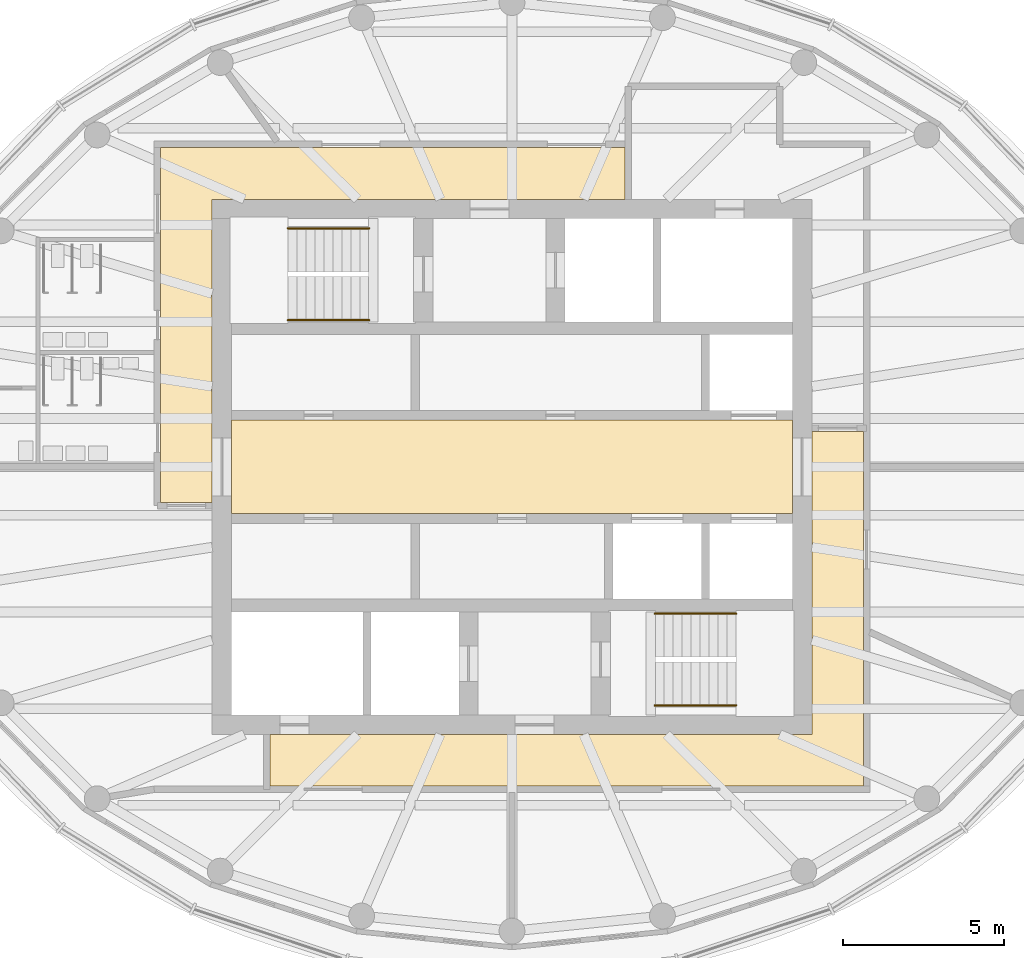
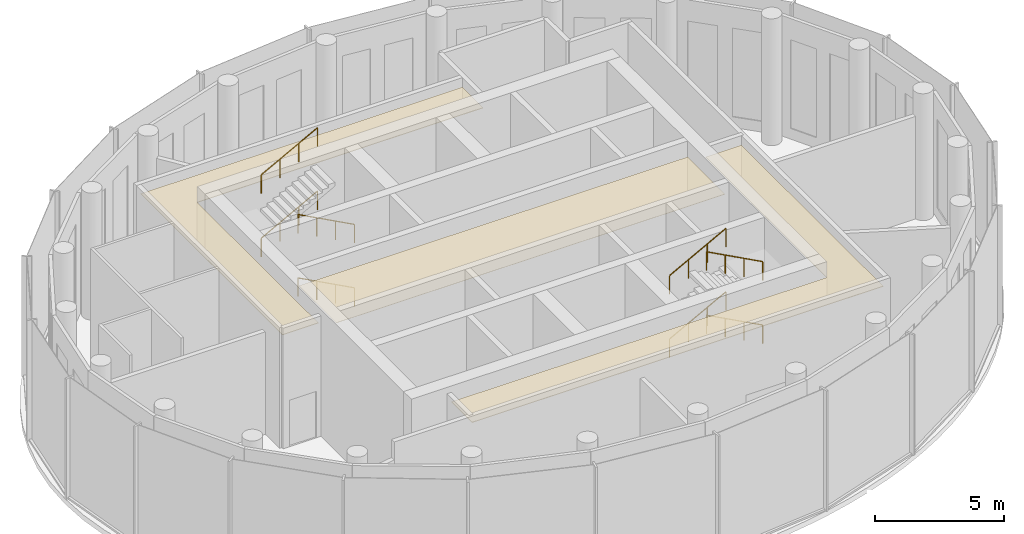
# One storey, part 9 of 11: 8 railings, 3 coverings.
"""IFC4 building model written with IfcOpenShell, lengths in metres."""

import ifcopenshell
import ifcopenshell.guid

model = None  # the IFC model being written
_history = None  # IfcOwnerHistory: only IFC2X3 demands one
_inside = {}  # id of a spatial element -> (the spatial element, [elements in it])
_under = {}  # id of a project, library or spatial element -> (it, [spatial elements below it])
_declared = {}  # id of a project -> (the project, [libraries it declares])
_typed = {}  # id of a type object -> (the type object, [elements of that type])
_made_of = {}  # id of a material, layer set ... -> (it, [elements and type objects made of it])


def new_model(schema):
    """Start an empty IFC model of exactly this schema.

    Asked for "IFC4X3", IfcOpenShell would pick the latest addendum, in which some entities
    have other attributes; the version numbers below select the first issue.
    IFC2X3 requires an IfcOwnerHistory on every rooted entity: one is made here for all.
    """
    global model, _history
    if schema == "IFC4X3":
        model = ifcopenshell.file(schema_version=(4, 3, 0, 0))
    else:
        model = ifcopenshell.file(schema=schema)
    _inside.clear()
    _under.clear()
    _declared.clear()
    _typed.clear()
    _made_of.clear()
    _history = None
    if model.schema == "IFC2X3":
        org = make("IfcOrganization", Name="unknown")
        user = make(
            "IfcPersonAndOrganization",
            ThePerson=make("IfcPerson", FamilyName="unknown"),
            TheOrganization=org,
        )
        app = make(
            "IfcApplication",
            ApplicationDeveloper=org,
            Version="unknown",
            ApplicationFullName="unknown",
            ApplicationIdentifier="unknown",
        )
        _history = make(
            "IfcOwnerHistory",
            OwningUser=user,
            OwningApplication=app,
            ChangeAction="ADDED",
            CreationDate=0,
        )
    return model


def make(cls, **values):
    """One entity of the class cls with the attributes given. An attribute that is None is left unset."""
    return model.create_entity(
        cls, **{name: value for name, value in values.items() if value is not None}
    )


def rooted(cls, **values):
    """An entity with a GlobalId (a new one), such as an element, a storey or a relation."""
    return make(cls, GlobalId=ifcopenshell.guid.new(), OwnerHistory=_history, **values)


def si_unit(unit_type, name, prefix=None):
    """IfcSIUnit, for example si_unit("LENGTHUNIT", "METRE", prefix="MILLI")."""
    return make("IfcSIUnit", UnitType=unit_type, Prefix=prefix, Name=name)


def assignment(units):
    """IfcUnitAssignment: the units of a project."""
    return None if units is None else make("IfcUnitAssignment", Units=units)


def point(xyz):
    """IfcCartesianPoint."""
    return None if xyz is None else make("IfcCartesianPoint", Coordinates=xyz)


def direction(xyz):
    """IfcDirection."""
    return None if xyz is None else make("IfcDirection", DirectionRatios=xyz)


def frame(location, z_axis=None, x_axis=None):
    """IfcAxis2Placement3D, a coordinate frame: its origin and axes. An axis left out is left unset."""
    return make(
        "IfcAxis2Placement3D",
        Location=point(location),
        Axis=direction(z_axis),
        RefDirection=direction(x_axis),
    )


def frame_2d(location, x_axis=None):
    """IfcAxis2Placement2D, a coordinate frame in the plane: its origin and x axis."""
    return make(
        "IfcAxis2Placement2D", Location=point(location), RefDirection=direction(x_axis)
    )


def origin():
    """The frame at (0, 0, 0) with its axes left unset."""
    return frame((0.0, 0.0, 0.0))


def origin_2d():
    """The frame at (0, 0) in the plane with its x axis left unset."""
    return frame_2d((0.0, 0.0))


def place(relative_to, where):
    """IfcLocalPlacement: puts the frame where relative to a parent placement (None: the world)."""
    return make(
        "IfcLocalPlacement", PlacementRelTo=relative_to, RelativePlacement=where
    )


def context(
    kind, dimensions, precision=None, world=None, true_north=None, identifier=None
):
    """IfcGeometricRepresentationContext, for example the 3D "Model" context."""
    return make(
        "IfcGeometricRepresentationContext",
        ContextIdentifier=identifier,
        ContextType=kind,
        CoordinateSpaceDimension=dimensions,
        Precision=precision,
        WorldCoordinateSystem=world,
        TrueNorth=true_north,
    )


def subcontext(parent, identifier, kind, view, scale=None):
    """IfcGeometricRepresentationSubContext, for example "Body" below "Model"."""
    return make(
        "IfcGeometricRepresentationSubContext",
        ContextIdentifier=identifier,
        ContextType=kind,
        ParentContext=parent,
        TargetScale=scale,
        TargetView=view,
    )


def project(units=None, contexts=None):
    """IfcProject with its units and contexts."""
    return rooted(
        "IfcProject",
        Name="project",
        RepresentationContexts=contexts,
        UnitsInContext=assignment(units),
    )


def spatial(cls, under=None, at=None, **own):
    """A site, building, storey or space (cls), placed at a placement, below another one or the project."""
    s = rooted(cls, ObjectPlacement=at, **own)
    if under is not None:
        _under.setdefault(under.id(), (under, []))[1].append(s)
    return s


def polyline(points):
    """IfcPolyline through the points."""
    return make("IfcPolyline", Points=[point(p) for p in points])


def profile(cls, at=None, kind="AREA", **sizes):
    """A parametric profile (cls). Its sizes go by their IFC names, for example OverallWidth=200.0."""
    return make(cls, ProfileType=kind, Position=at, **sizes)


def circle(**sizes):
    """IfcCircleProfileDef."""
    return profile("IfcCircleProfileDef", **sizes)


def outline(outer, holes=None, kind="AREA"):
    """IfcArbitraryClosedProfileDef: a profile drawn as a closed curve; with holes, ...WithVoids."""
    if holes is None:
        return make("IfcArbitraryClosedProfileDef", ProfileType=kind, OuterCurve=outer)
    return make(
        "IfcArbitraryProfileDefWithVoids",
        ProfileType=kind,
        OuterCurve=outer,
        InnerCurves=holes,
    )


def extrude(swept, where, along, depth):
    """IfcExtrudedAreaSolid: the profile swept, set in the frame where, extruded along a direction by depth."""
    return make(
        "IfcExtrudedAreaSolid",
        SweptArea=swept,
        Position=where,
        ExtrudedDirection=direction(along),
        Depth=depth,
    )


def shape(context_of_items, identifier, shape_type, items):
    """IfcShapeRepresentation: the items that make up one representation, for example the "Body"."""
    return make(
        "IfcShapeRepresentation",
        ContextOfItems=context_of_items,
        RepresentationIdentifier=identifier,
        RepresentationType=shape_type,
        Items=items,
    )


def material(Name=None, Category=None):
    """IfcMaterial."""
    return make("IfcMaterial", Name=Name, Category=Category)


def layer(
    of_material, thickness, ventilated=None, Name=None, Category=None, Priority=None
):
    """IfcMaterialLayer: one layer of a wall or slab, of a material (None: an air gap)."""
    return make(
        "IfcMaterialLayer",
        Material=of_material,
        LayerThickness=thickness,
        IsVentilated=ventilated,
        Name=Name,
        Category=Category,
        Priority=Priority,
    )


def layer_set(layers, Name=None):
    """IfcMaterialLayerSet."""
    return make("IfcMaterialLayerSet", MaterialLayers=layers, LayerSetName=Name)


def made_of(thing, what):
    """Note that an element or type object is made of a material, layer set ...; save() writes the relation."""
    if what is not None:
        _made_of.setdefault(what.id(), (what, []))[1].append(thing)
    return thing


def type_object(cls, material=None, **own):
    """A type object (cls), such as IfcWallType, which elements share."""
    return made_of(rooted(cls, **own), material)


def element(
    cls,
    number,
    at=None,
    inside=None,
    cuts=None,
    type_object=None,
    material=None,
    context=None,
    identifier="Body",
    shape_type=None,
    held_by="IfcProductDefinitionShape",
    body=None,
    shapes=None,
    **own,
):
    """One element of the class cls, such as IfcWall. Its Tag is "e" and its number.

    at: its placement. inside: the storey or other place that contains it. cuts: it is an
    opening in that element (IfcRelVoidsElement). A single representation is given by context,
    identifier, shape_type and body (its items); several are given by shapes. held_by: the class
    of the entity that holds the representations. save() writes the other relations.
    """
    e = rooted(cls, Tag="e%d" % number, ObjectPlacement=at, **own)
    if body is not None:
        shapes = [shape(context, identifier, shape_type, body)]
    if shapes is not None:
        e.Representation = make(held_by, Representations=shapes)
    if inside is not None:
        _inside.setdefault(inside.id(), (inside, []))[1].append(e)
    if cuts is not None:
        rooted(
            "IfcRelVoidsElement", RelatingBuildingElement=cuts, RelatedOpeningElement=e
        )
    if type_object is not None:
        _typed.setdefault(type_object.id(), (type_object, []))[1].append(e)
    return made_of(e, material)


def aggregate(whole, parts):
    """IfcRelAggregates: a whole, such as a stair, and the parts it consists of."""
    return rooted("IfcRelAggregates", RelatingObject=whole, RelatedObjects=parts)


def save(model, path):
    """Write the relations noted so far, then the file.

    IfcRelAggregates (storeys below a building ...), IfcRelContainedInSpatialStructure (elements
    in a storey), IfcRelDefinesByType, IfcRelAssociatesMaterial and IfcRelDeclares: one each for
    every whole, place, type object, material and project.
    """
    for whole, parts in _under.values():
        aggregate(whole, parts)
    for where, things in _inside.values():
        rooted(
            "IfcRelContainedInSpatialStructure",
            RelatedElements=things,
            RelatingStructure=where,
        )
    for kind, things in _typed.values():
        rooted("IfcRelDefinesByType", RelatedObjects=things, RelatingType=kind)
    for what, things in _made_of.values():
        rooted("IfcRelAssociatesMaterial", RelatedObjects=things, RelatingMaterial=what)
    for by, libraries in _declared.values():
        rooted("IfcRelDeclares", RelatingContext=by, RelatedDefinitions=libraries)
    model.write(path)


model = new_model("IFC4")

# Units and contexts
model_context = context("Model", 3, precision=1e-05, world=origin(), true_north=direction((0.0, 1.0)))
body_context = subcontext(model_context, "Body", "Model", "MODEL_VIEW")
ifc_project = project(units=[si_unit("LENGTHUNIT", "METRE"), si_unit("AREAUNIT", "SQUARE_METRE"), si_unit("VOLUMEUNIT", "CUBIC_METRE"), si_unit("PLANEANGLEUNIT", "RADIAN"), si_unit("MASSUNIT", "GRAM", prefix="KILO")], contexts=[model_context])

# Site, building, storey
site_placement = place(None, origin())
site = spatial("IfcSite", under=ifc_project, at=site_placement, CompositionType="ELEMENT")
building_placement = place(site_placement, origin())
building = spatial("IfcBuilding", under=site, at=building_placement, Name="Hankou Lantern Tower", CompositionType="ELEMENT")
storey_placement = place(building_placement, frame((0.0, 0.0, 242.699951171875)))
storey = spatial("IfcBuildingStorey", under=building, at=storey_placement, Name="L65", CompositionType="ELEMENT", Elevation=242.699951171875)

# Coverings
ifc_material_1 = material(Name="Black painted aluminium linear ceiling panels", Category="aluminium")
ifc_layer_1 = layer(ifc_material_1, 0.02490234375)
ifc_layer_set_1 = layer_set([ifc_layer_1], Name="Black painted aluminium linear ceiling panels")
covering_type_1 = type_object("IfcCoveringType", Name="CL1 CORRIDOR CEILING 25", PredefinedType="CEILING", material=ifc_layer_set_1)
covering_1_placement = place(storey_placement, frame((0.0, 0.0, 5.22509765625)))
element("IfcCovering", 1, at=covering_1_placement, inside=storey, type_object=covering_type_1, Name="Corridor ceiling L65", PredefinedType="CEILING", context=body_context, shape_type="SweptSolid", body=[
    extrude(outline(polyline([(-9.300048828125, 8.300048828125), (3.5, 8.300048828125), (3.5, 9.89990234375), (-10.89990234375, 9.89990234375), (-10.89990234375, -1.10009765625), (-9.300048828125, -1.10009765625), (-9.300048828125, 8.300048828125)])), origin(), (0.0, 0.0, 1.0), 0.02490234375),
])
covering_2_placement = place(storey_placement, frame((0.0, 0.0, 5.22509765625)))
element("IfcCovering", 2, at=covering_2_placement, inside=storey, type_object=covering_type_1, Name="Corridor ceiling L65", PredefinedType="CEILING", context=body_context, shape_type="SweptSolid", body=[
    extrude(outline(polyline([(10.89990234375, 1.10009765625), (9.300048828125, 1.10009765625), (9.300048828125, -8.300048828125), (-7.5, -8.300048828125), (-7.5, -9.89990234375), (10.89990234375, -9.89990234375), (10.89990234375, 1.10009765625)])), origin(), (0.0, 0.0, 1.0), 0.02490234375),
])
ifc_material_2 = material(Name="Perforated black aluminium acoustic tray ceiling", Category="aluminium")
ifc_layer_2 = layer(ifc_material_2, 0.014892578125)
ifc_layer_set_2 = layer_set([ifc_layer_2], Name="Perforated black aluminium acoustic tray ceiling")
covering_type_2 = type_object("IfcCoveringType", Name="CL2 LIFT LOBBY CEILING 15", PredefinedType="CEILING", material=ifc_layer_set_2)
covering_3_placement = place(storey_placement, frame((0.0, 0.0, 5.235107421875)))
element("IfcCovering", 3, at=covering_3_placement, inside=storey, type_object=covering_type_2, Name="Lift lobby ceiling L65", PredefinedType="CEILING", context=body_context, shape_type="SweptSolid", body=[
    extrude(outline(polyline([(-8.699951171875, -1.449951171875), (8.699951171875, -1.449951171875), (8.699951171875, 1.449951171875), (-8.699951171875, 1.449951171875), (-8.699951171875, -1.449951171875)])), origin(), (0.0, 0.0, 1.0), 0.014892578125),
])

# Railings
ifc_material_3 = material(Name="Steel handrail", Category="steel")
railing_type = type_object("IfcRailingType", Name="HR1 STAIR HANDRAIL", PredefinedType="HANDRAIL", material=ifc_material_3)
railing_1_placement = place(storey_placement, frame((-4.429931640625, 4.550048828125, 0.900146484375)))
element("IfcRailing", 4, at=railing_1_placement, inside=storey, type_object=railing_type, Name="Handrail stair STA L65 flight 1", PredefinedType="HANDRAIL", context=body_context, shape_type="SweptSolid", body=[
    extrude(circle(Radius=0.02392578125, at=origin_2d()), frame((0.0, 0.0, 0.8759765625), z_axis=(-0.88150282143, 0.0, 0.472178754087), x_axis=(0.0, -1.0, 0.0)), (0.0, 0.0, 1.0), 2.85888671875),
    extrude(circle(Radius=0.02099609375, at=origin_2d()), origin(), (0.0, 0.0, 1.0), 0.851806640625),
    extrude(circle(Radius=0.02099609375, at=origin_2d()), frame((-0.840087890625, 0.0, 0.449951171875)), (0.0, 0.0, 1.0), 0.851806640625),
    extrude(circle(Radius=0.02099609375, at=origin_2d()), frame((-1.679931640625, 0.0, 0.89990234375)), (0.0, 0.0, 1.0), 0.851806640625),
    extrude(circle(Radius=0.02099609375, at=origin_2d()), frame((-2.52001953125, 0.0, 1.349853515625)), (0.0, 0.0, 1.0), 0.851806640625),
])
railing_2_placement = place(storey_placement, frame((-6.949951171875, 7.39990234375, 2.400146484375)))
element("IfcRailing", 5, at=railing_2_placement, inside=storey, type_object=railing_type, Name="Handrail stair STA L65 flight 2", PredefinedType="HANDRAIL", context=body_context, shape_type="SweptSolid", body=[
    extrude(circle(Radius=0.02392578125, at=origin_2d()), frame((0.0, 0.0, 0.8759765625), z_axis=(0.88150282143, 0.0, 0.472178754087), x_axis=(0.0, 1.0, 0.0)), (0.0, 0.0, 1.0), 2.85888671875),
    extrude(circle(Radius=0.02099609375, at=origin_2d()), origin(), (0.0, 0.0, 1.0), 0.851806640625),
    extrude(circle(Radius=0.02099609375, at=origin_2d()), frame((0.840087890625, 0.0, 0.449951171875)), (0.0, 0.0, 1.0), 0.851806640625),
    extrude(circle(Radius=0.02099609375, at=origin_2d()), frame((1.679931640625, 0.0, 0.89990234375)), (0.0, 0.0, 1.0), 0.851806640625),
    extrude(circle(Radius=0.02099609375, at=origin_2d()), frame((2.52001953125, 0.0, 1.349853515625)), (0.0, 0.0, 1.0), 0.851806640625),
])
railing_3_placement = place(storey_placement, frame((-4.429931640625, 4.550048828125, 3.900146484375)))
element("IfcRailing", 6, at=railing_3_placement, inside=storey, type_object=railing_type, Name="Handrail stair STA L65 flight 3", PredefinedType="HANDRAIL", context=body_context, shape_type="SweptSolid", body=[
    extrude(circle(Radius=0.02392578125, at=origin_2d()), frame((0.0, 0.0, 0.8759765625), z_axis=(-0.88150282143, 0.0, 0.472178754087), x_axis=(0.0, -1.0, 0.0)), (0.0, 0.0, 1.0), 2.85888671875),
    extrude(circle(Radius=0.02099609375, at=origin_2d()), origin(), (0.0, 0.0, 1.0), 0.851806640625),
    extrude(circle(Radius=0.02099609375, at=origin_2d()), frame((-0.840087890625, 0.0, 0.449951171875)), (0.0, 0.0, 1.0), 0.851806640625),
    extrude(circle(Radius=0.02099609375, at=origin_2d()), frame((-1.679931640625, 0.0, 0.89990234375)), (0.0, 0.0, 1.0), 0.851806640625),
    extrude(circle(Radius=0.02099609375, at=origin_2d()), frame((-2.52001953125, 0.0, 1.349853515625)), (0.0, 0.0, 1.0), 0.851806640625),
])
for number, where, name in (
    (7, (-6.949951171875, 7.39990234375, 5.400146484375), "Handrail stair STA L65 flight 4"),
    (8, (4.429931640625, -4.550048828125, 0.900146484375), "Handrail stair STB L65 flight 1"),
):
    element("IfcRailing", number, at=place(storey_placement, frame(where)), inside=storey, type_object=railing_type, Name=name, PredefinedType="HANDRAIL", context=body_context, shape_type="SweptSolid", body=[
        extrude(circle(Radius=0.02392578125, at=origin_2d()), frame((0.0, 0.0, 0.8759765625), z_axis=(0.88150282143, 0.0, 0.472178754087), x_axis=(0.0, 1.0, 0.0)), (0.0, 0.0, 1.0), 2.85888671875),
        extrude(circle(Radius=0.02099609375, at=origin_2d()), origin(), (0.0, 0.0, 1.0), 0.851806640625),
        extrude(circle(Radius=0.02099609375, at=origin_2d()), frame((0.840087890625, 0.0, 0.449951171875)), (0.0, 0.0, 1.0), 0.851806640625),
        extrude(circle(Radius=0.02099609375, at=origin_2d()), frame((1.679931640625, 0.0, 0.89990234375)), (0.0, 0.0, 1.0), 0.851806640625),
        extrude(circle(Radius=0.02099609375, at=origin_2d()), frame((2.52001953125, 0.0, 1.349853515625)), (0.0, 0.0, 1.0), 0.851806640625),
    ])
railing_4_placement = place(storey_placement, frame((6.949951171875, -7.39990234375, 2.400146484375)))
element("IfcRailing", 9, at=railing_4_placement, inside=storey, type_object=railing_type, Name="Handrail stair STB L65 flight 2", PredefinedType="HANDRAIL", context=body_context, shape_type="SweptSolid", body=[
    extrude(circle(Radius=0.02392578125, at=origin_2d()), frame((0.0, 0.0, 0.8759765625), z_axis=(-0.88150282143, 0.0, 0.472178754087), x_axis=(0.0, -1.0, 0.0)), (0.0, 0.0, 1.0), 2.85888671875),
    extrude(circle(Radius=0.02099609375, at=origin_2d()), origin(), (0.0, 0.0, 1.0), 0.851806640625),
    extrude(circle(Radius=0.02099609375, at=origin_2d()), frame((-0.840087890625, 0.0, 0.449951171875)), (0.0, 0.0, 1.0), 0.851806640625),
    extrude(circle(Radius=0.02099609375, at=origin_2d()), frame((-1.679931640625, 0.0, 0.89990234375)), (0.0, 0.0, 1.0), 0.851806640625),
    extrude(circle(Radius=0.02099609375, at=origin_2d()), frame((-2.52001953125, 0.0, 1.349853515625)), (0.0, 0.0, 1.0), 0.851806640625),
])
railing_5_placement = place(storey_placement, frame((4.429931640625, -4.550048828125, 3.900146484375)))
element("IfcRailing", 10, at=railing_5_placement, inside=storey, type_object=railing_type, Name="Handrail stair STB L65 flight 3", PredefinedType="HANDRAIL", context=body_context, shape_type="SweptSolid", body=[
    extrude(circle(Radius=0.02392578125, at=origin_2d()), frame((0.0, 0.0, 0.8759765625), z_axis=(0.88150282143, 0.0, 0.472178754087), x_axis=(0.0, 1.0, 0.0)), (0.0, 0.0, 1.0), 2.85888671875),
    extrude(circle(Radius=0.02099609375, at=origin_2d()), origin(), (0.0, 0.0, 1.0), 0.851806640625),
    extrude(circle(Radius=0.02099609375, at=origin_2d()), frame((0.840087890625, 0.0, 0.449951171875)), (0.0, 0.0, 1.0), 0.851806640625),
    extrude(circle(Radius=0.02099609375, at=origin_2d()), frame((1.679931640625, 0.0, 0.89990234375)), (0.0, 0.0, 1.0), 0.851806640625),
    extrude(circle(Radius=0.02099609375, at=origin_2d()), frame((2.52001953125, 0.0, 1.349853515625)), (0.0, 0.0, 1.0), 0.851806640625),
])
railing_6_placement = place(storey_placement, frame((6.949951171875, -7.39990234375, 5.400146484375)))
element("IfcRailing", 11, at=railing_6_placement, inside=storey, type_object=railing_type, Name="Handrail stair STB L65 flight 4", PredefinedType="HANDRAIL", context=body_context, shape_type="SweptSolid", body=[
    extrude(circle(Radius=0.02392578125, at=origin_2d()), frame((0.0, 0.0, 0.8759765625), z_axis=(-0.88150282143, 0.0, 0.472178754087), x_axis=(0.0, -1.0, 0.0)), (0.0, 0.0, 1.0), 2.85888671875),
    extrude(circle(Radius=0.02099609375, at=origin_2d()), origin(), (0.0, 0.0, 1.0), 0.851806640625),
    extrude(circle(Radius=0.02099609375, at=origin_2d()), frame((-0.840087890625, 0.0, 0.449951171875)), (0.0, 0.0, 1.0), 0.851806640625),
    extrude(circle(Radius=0.02099609375, at=origin_2d()), frame((-1.679931640625, 0.0, 0.89990234375)), (0.0, 0.0, 1.0), 0.851806640625),
    extrude(circle(Radius=0.02099609375, at=origin_2d()), frame((-2.52001953125, 0.0, 1.349853515625)), (0.0, 0.0, 1.0), 0.851806640625),
])

save(model, "model.ifc")
